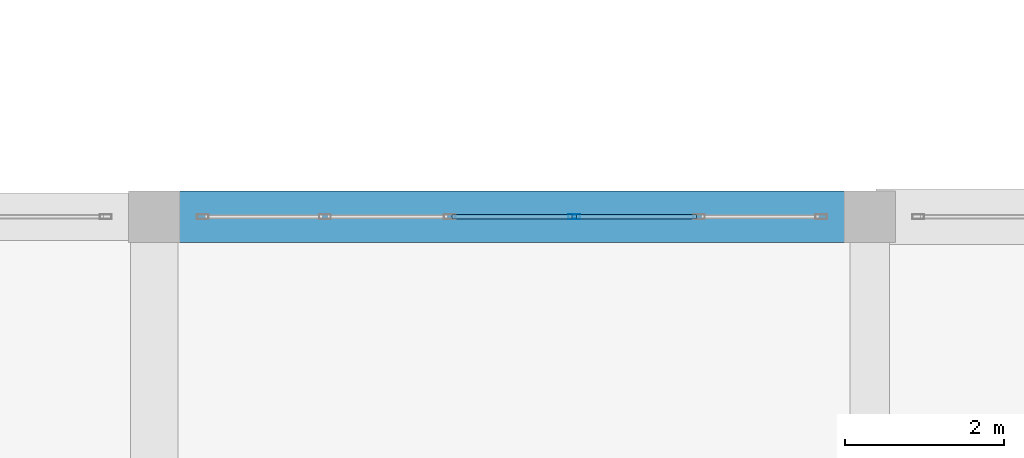
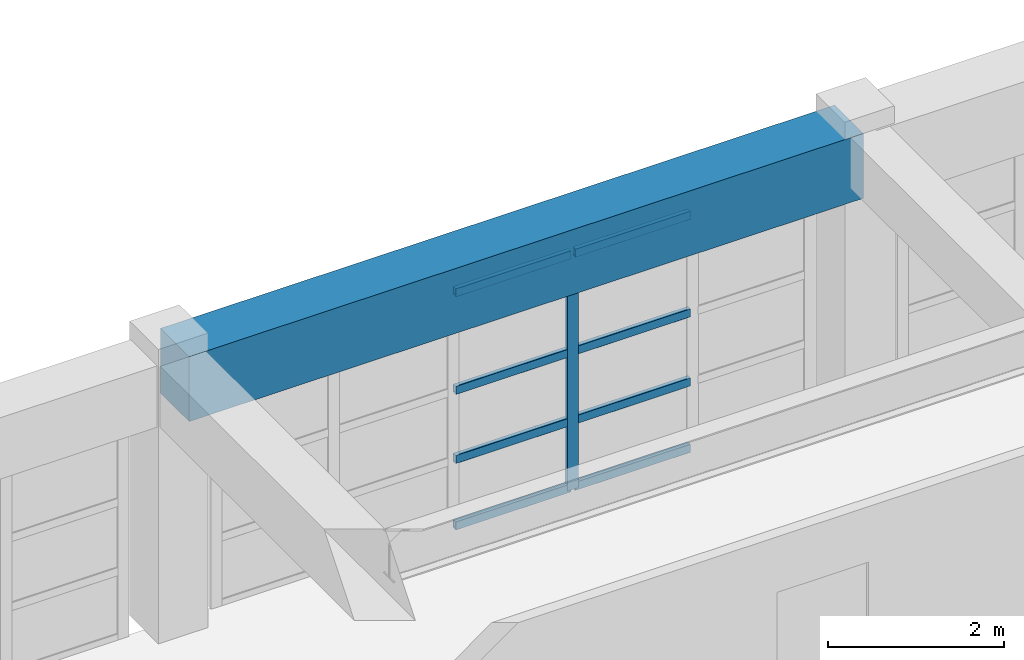
# One storey, part 71 of 130: 9 members, 1 beam, 1 element without a shape of its own.
"""IFC4 building model written with IfcOpenShell, lengths in metres."""

from ifc_helpers import new_model, si_unit, direction, frame, origin, origin_2d, place, context, subcontext, project, spatial, rectangle, hollow_rectangle, extrude, material, material_profile, profile_set, type_object, element, aggregate, save


model = new_model("IFC4")

# Units and contexts
model_context = context("Model", 3, precision=1e-05, world=origin(), true_north=direction((0.0, 1.0)))
body_context = subcontext(model_context, "Body", "Model", "MODEL_VIEW")
ifc_project = project(units=[si_unit("LENGTHUNIT", "METRE"), si_unit("AREAUNIT", "SQUARE_METRE"), si_unit("VOLUMEUNIT", "CUBIC_METRE"), si_unit("PLANEANGLEUNIT", "RADIAN"), si_unit("MASSUNIT", "GRAM", prefix="KILO")], contexts=[model_context])

# Site, building, storey
site_placement = place(None, origin())
site = spatial("IfcSite", under=ifc_project, at=site_placement, CompositionType="ELEMENT")
building_placement = place(site_placement, origin())
building = spatial("IfcBuilding", under=site, at=building_placement, Name="Miravela Opera House", CompositionType="ELEMENT")
storey_placement = place(building_placement, frame((0.0, 0.0, 9.52001953125)))
storey = spatial("IfcBuildingStorey", under=building, at=storey_placement, Name="L02", CompositionType="ELEMENT", Elevation=9.52001953125)

# Curtain wall, members
ifc_material_1 = material(Name="Anodised architectural bronze aluminium 6063-T6", Category="aluminium")
curtain_wall_type = type_object("IfcCurtainWallType", Name="ARC-CW-05", PredefinedType="NOTDEFINED", material=ifc_material_1)
curtain_wall_placement = place(storey_placement, origin())
curtain_wall = element("IfcCurtainWall", 1, at=curtain_wall_placement, inside=storey, type_object=curtain_wall_type, Name="Courtyard Arcade Curtain Wall CW-L02-184", PredefinedType="NOTDEFINED")
ifc_material_profile_1 = material_profile(ifc_material_1, hollow_rectangle(XDim=0.06005859375, YDim=0.14990234375, WallThickness=0.00390625, InnerFilletRadius=0.001953125, OuterFilletRadius=0.00390625, at=origin_2d()), Name="CWM-60X150")
ifc_profile_set_1 = profile_set([ifc_material_profile_1])
member_type_1 = type_object("IfcMemberType", Name="ARC-CWM-150", PredefinedType="MULLION", material=ifc_profile_set_1)
member_1_placement = place(storey_placement, frame((131.283935546875, 84.0, 0.0), z_axis=(0.0, 0.0, 1.0), x_axis=(0.0, 1.0, 0.0)))
member_1 = element("IfcMember", 2, at=member_1_placement, type_object=member_type_1, Name="CW-05 mullion 4", PredefinedType="MULLION", context=body_context, shape_type="SweptSolid", body=[
    extrude(hollow_rectangle(XDim=0.06005859375, YDim=0.14990234375, WallThickness=0.00390625, InnerFilletRadius=0.001953125, OuterFilletRadius=0.00390625, at=origin_2d()), origin(), (0.0, 0.0, 1.0), 3.2900390625),
])
ifc_material_profile_2 = material_profile(ifc_material_1, hollow_rectangle(XDim=0.06005859375, YDim=0.114990234375, WallThickness=0.00390625, InnerFilletRadius=0.001953125, OuterFilletRadius=0.00390625, at=origin_2d()), Name="CWT-60X115")
ifc_profile_set_2 = profile_set([ifc_material_profile_2])
member_type_2 = type_object("IfcMemberType", Name="ARC-CWT-115", PredefinedType="USERDEFINED", material=ifc_profile_set_2)
member_2_placement = place(storey_placement, frame((129.74609375, 84.0, 0.030029296875), z_axis=(1.0, 0.0, 0.0), x_axis=(0.0, 1.0, 0.0)))
member_2 = element("IfcMember", 3, at=member_2_placement, type_object=member_type_2, Name="CW-05 transom 3.1", ObjectType="TRANSOM", PredefinedType="USERDEFINED", context=body_context, shape_type="SweptSolid", body=[
    extrude(hollow_rectangle(XDim=0.06005859375, YDim=0.114990234375, WallThickness=0.00390625, InnerFilletRadius=0.001953125, OuterFilletRadius=0.00390625, at=origin_2d()), origin(), (0.0, 0.0, 1.0), 1.5078125),
])
member_3_placement = place(storey_placement, frame((129.74609375, 84.0, 0.949951171875), z_axis=(1.0, 0.0, 0.0), x_axis=(0.0, 1.0, 0.0)))
member_3 = element("IfcMember", 4, at=member_3_placement, type_object=member_type_2, Name="CW-05 transom 3.2", ObjectType="TRANSOM", PredefinedType="USERDEFINED", context=body_context, shape_type="SweptSolid", body=[
    extrude(hollow_rectangle(XDim=0.06005859375, YDim=0.114990234375, WallThickness=0.00390625, InnerFilletRadius=0.001953125, OuterFilletRadius=0.00390625, at=origin_2d()), origin(), (0.0, 0.0, 1.0), 1.5078125),
])
member_4_placement = place(storey_placement, frame((129.74609375, 84.0, 1.908203125), z_axis=(1.0, 0.0, 0.0), x_axis=(0.0, 1.0, 0.0)))
member_4 = element("IfcMember", 5, at=member_4_placement, type_object=member_type_2, Name="CW-05 transom 3.3", ObjectType="TRANSOM", PredefinedType="USERDEFINED", context=body_context, shape_type="SweptSolid", body=[
    extrude(hollow_rectangle(XDim=0.06005859375, YDim=0.114990234375, WallThickness=0.00390625, InnerFilletRadius=0.001953125, OuterFilletRadius=0.00390625, at=origin_2d()), origin(), (0.0, 0.0, 1.0), 1.5078125),
])
member_5_placement = place(storey_placement, frame((129.74609375, 84.0, 3.260009765625), z_axis=(1.0, 0.0, 0.0), x_axis=(0.0, 1.0, 0.0)))
member_5 = element("IfcMember", 6, at=member_5_placement, type_object=member_type_2, Name="CW-05 transom 3.4", ObjectType="TRANSOM", PredefinedType="USERDEFINED", context=body_context, shape_type="SweptSolid", body=[
    extrude(hollow_rectangle(XDim=0.06005859375, YDim=0.114990234375, WallThickness=0.00390625, InnerFilletRadius=0.001953125, OuterFilletRadius=0.00390625, at=origin_2d()), origin(), (0.0, 0.0, 1.0), 1.5078125),
])
member_6_placement = place(storey_placement, frame((131.31396484375, 84.0, 0.030029296875), z_axis=(1.0, 0.0, 0.0), x_axis=(0.0, 1.0, 0.0)))
member_6 = element("IfcMember", 7, at=member_6_placement, type_object=member_type_2, Name="CW-05 transom 4.1", ObjectType="TRANSOM", PredefinedType="USERDEFINED", context=body_context, shape_type="SweptSolid", body=[
    extrude(hollow_rectangle(XDim=0.06005859375, YDim=0.114990234375, WallThickness=0.00390625, InnerFilletRadius=0.001953125, OuterFilletRadius=0.00390625, at=origin_2d()), origin(), (0.0, 0.0, 1.0), 1.508056640625),
])
member_7_placement = place(storey_placement, frame((131.31396484375, 84.0, 0.949951171875), z_axis=(1.0, 0.0, 0.0), x_axis=(0.0, 1.0, 0.0)))
member_7 = element("IfcMember", 8, at=member_7_placement, type_object=member_type_2, Name="CW-05 transom 4.2", ObjectType="TRANSOM", PredefinedType="USERDEFINED", context=body_context, shape_type="SweptSolid", body=[
    extrude(hollow_rectangle(XDim=0.06005859375, YDim=0.114990234375, WallThickness=0.00390625, InnerFilletRadius=0.001953125, OuterFilletRadius=0.00390625, at=origin_2d()), origin(), (0.0, 0.0, 1.0), 1.508056640625),
])
member_8_placement = place(storey_placement, frame((131.31396484375, 84.0, 1.908203125), z_axis=(1.0, 0.0, 0.0), x_axis=(0.0, 1.0, 0.0)))
member_8 = element("IfcMember", 9, at=member_8_placement, type_object=member_type_2, Name="CW-05 transom 4.3", ObjectType="TRANSOM", PredefinedType="USERDEFINED", context=body_context, shape_type="SweptSolid", body=[
    extrude(hollow_rectangle(XDim=0.06005859375, YDim=0.114990234375, WallThickness=0.00390625, InnerFilletRadius=0.001953125, OuterFilletRadius=0.00390625, at=origin_2d()), origin(), (0.0, 0.0, 1.0), 1.508056640625),
])
member_9_placement = place(storey_placement, frame((131.31396484375, 84.0, 3.260009765625), z_axis=(1.0, 0.0, 0.0), x_axis=(0.0, 1.0, 0.0)))
member_9 = element("IfcMember", 10, at=member_9_placement, type_object=member_type_2, Name="CW-05 transom 4.4", ObjectType="TRANSOM", PredefinedType="USERDEFINED", context=body_context, shape_type="SweptSolid", body=[
    extrude(hollow_rectangle(XDim=0.06005859375, YDim=0.114990234375, WallThickness=0.00390625, InnerFilletRadius=0.001953125, OuterFilletRadius=0.00390625, at=origin_2d()), origin(), (0.0, 0.0, 1.0), 1.508056640625),
])
aggregate(curtain_wall, [member_1, member_2, member_3, member_4, member_5, member_6, member_7, member_8, member_9])

# Beam
ifc_material_2 = material(Name="Concrete C40/50", Category="concrete")
ifc_material_profile_3 = material_profile(ifc_material_2, rectangle(XDim=0.64990234375, YDim=0.89990234375, at=origin_2d()), Name="RC-BM-650X900")
ifc_profile_set_3 = profile_set([ifc_material_profile_3])
beam_type = type_object("IfcBeamType", Name="STR-BM-RC650X900", PredefinedType="BEAM", material=ifc_profile_set_3)
beam_placement = place(storey_placement, frame((126.080078125, 84.0, 3.389892578125), z_axis=(1.0, 0.0, 0.0), x_axis=(0.0, 1.0, 0.0)))
element("IfcBeam", 11, at=beam_placement, inside=storey, type_object=beam_type, Name="Floor Girder L02 15-16/J", PredefinedType="BEAM", context=body_context, shape_type="SweptSolid", body=[
    extrude(rectangle(XDim=0.64990234375, YDim=0.89990234375, at=origin_2d()), origin(), (0.0, 0.0, 1.0), 8.83984375),
])

save(model, "model.ifc")
